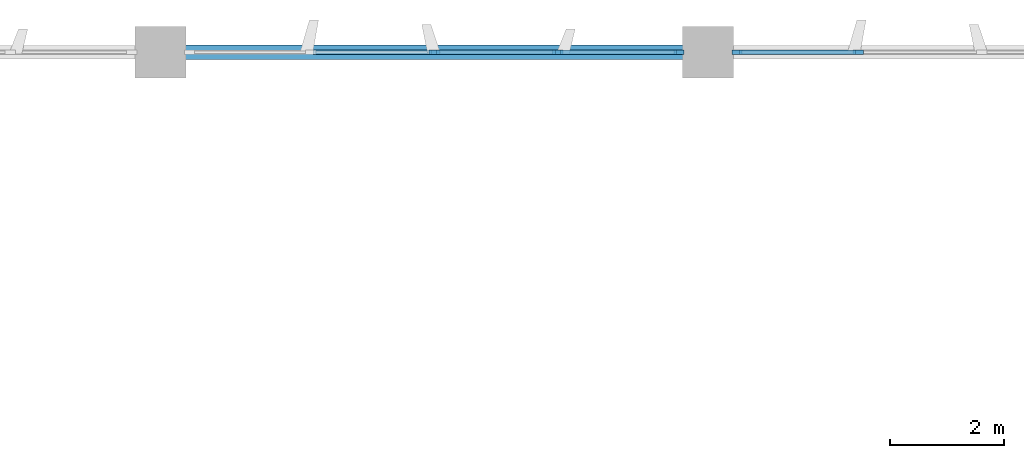
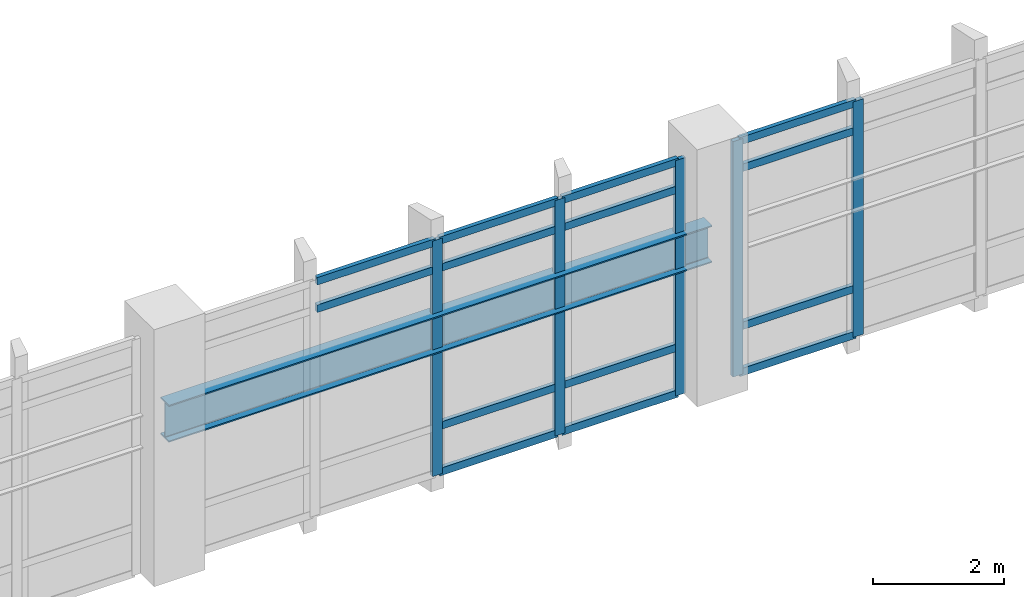
# One storey, part 32 of 86: 19 members, 1 beam, 2 elements without a shape of their own.
"""IFC4 building model written with IfcOpenShell, lengths in metres."""

from ifc_helpers import new_model, si_unit, direction, frame, origin, origin_2d, place, context, subcontext, project, spatial, rectangle, i_section, extrude, material, layer, layer_set, material_profile, profile_set, type_object, element, aggregate, save


model = new_model("IFC4")

# Units and contexts
model_context = context("Model", 3, precision=1e-05, world=origin(), true_north=direction((0.0, 1.0)))
body_context = subcontext(model_context, "Body", "Model", "MODEL_VIEW")
ifc_project = project(units=[si_unit("LENGTHUNIT", "METRE"), si_unit("AREAUNIT", "SQUARE_METRE"), si_unit("VOLUMEUNIT", "CUBIC_METRE"), si_unit("PLANEANGLEUNIT", "RADIAN"), si_unit("MASSUNIT", "GRAM", prefix="KILO")], contexts=[model_context])

# Site, building, storey
site_placement = place(None, origin())
site = spatial("IfcSite", under=ifc_project, at=site_placement, CompositionType="ELEMENT")
building_placement = place(site_placement, origin())
building = spatial("IfcBuilding", under=site, at=building_placement, Name="Kolvemor Railside Polytechnic", CompositionType="ELEMENT")
storey_placement = place(building_placement, frame((0.0, 0.0, 5.39990234375)))
storey = spatial("IfcBuildingStorey", under=building, at=storey_placement, Name="L01", CompositionType="ELEMENT", Elevation=5.39990234375)

# Beam
ifc_material_1 = material(Name="Steel S355", Category="steel")
ifc_material_profile_1 = material_profile(ifc_material_1, i_section(OverallWidth=0.256103515625, OverallDepth=0.693115234375, WebThickness=0.014404296875, FlangeThickness=0.023681640625, FilletRadius=0.01611328125, at=origin_2d()), Name="W690x170")
ifc_profile_set_1 = profile_set([ifc_material_profile_1], Name="Steel S355")
beam_type = type_object("IfcBeamType", Name="BM-ST-CRANE0", PredefinedType="BEAM", material=ifc_profile_set_1)
beam_placement = place(storey_placement, frame((115.199951171875, 120.0, 2.691650390625), z_axis=(1.0, 0.0, 0.0), x_axis=(0.0, 1.0, 0.0)))
element("IfcBeam", 1, at=beam_placement, inside=storey, type_object=beam_type, Name="Crane Runway Girder CRG-N11", PredefinedType="BEAM", context=body_context, shape_type="SweptSolid", body=[
    extrude(i_section(OverallWidth=0.256103515625, OverallDepth=0.693115234375, WebThickness=0.014404296875, FlangeThickness=0.023681640625, FilletRadius=0.01611328125, at=origin_2d()), origin(), (0.0, 0.0, 1.0), 9.60009765625),
])

# Curtain wall, members
ifc_material_2 = material(Name="Anodised marine aluminium and laminated low-E glass", Category="aluminium")
ifc_layer = layer(ifc_material_2, 0.179931640625, Name="CW-UNIT-WKS")
ifc_layer_set = layer_set([ifc_layer], Name="Anodised marine aluminium and laminated low-E glass")
curtain_wall_type = type_object("IfcCurtainWallType", Name="CW-UNIT-WKS", PredefinedType="USERDEFINED", material=ifc_layer_set)
curtain_wall_1_placement = place(storey_placement, origin())
curtain_wall_1 = element("IfcCurtainWall", 2, at=curtain_wall_1_placement, inside=storey, type_object=curtain_wall_type, Name="Curtain Wall L01-023", ObjectType="UNITISED CURTAIN WALL", PredefinedType="USERDEFINED")
ifc_material_3 = material(Name="Anodised marine aluminium 6063-T6", Category="aluminium")
ifc_material_profile_2 = material_profile(ifc_material_3, rectangle(XDim=0.074951171875, YDim=0.179931640625, at=origin_2d()), Name="CW-MUL-75x180")
ifc_profile_set_2 = profile_set([ifc_material_profile_2], Name="Anodised marine aluminium 6063-T6")
member_type_1 = type_object("IfcMemberType", Name="CWM-75x180", PredefinedType="MULLION", material=ifc_profile_set_2)
member_1_placement = place(storey_placement, frame((124.29248046875, 120.0, 0.0), z_axis=(0.0, 0.0, 1.0), x_axis=(0.0, -1.0, 0.0)))
member_1 = element("IfcMember", 3, at=member_1_placement, type_object=member_type_1, Name="CW-WKS mullion 1", PredefinedType="MULLION", context=body_context, shape_type="SweptSolid", body=[
    extrude(rectangle(XDim=0.074951171875, YDim=0.179931640625, at=origin_2d()), origin(), (0.0, 0.0, 1.0), 4.400146484375),
])
member_2_placement = place(storey_placement, frame((122.1650390625, 120.0, 0.0), z_axis=(0.0, 0.0, 1.0), x_axis=(0.0, -1.0, 0.0)))
member_2 = element("IfcMember", 4, at=member_2_placement, type_object=member_type_1, Name="CW-WKS mullion 2", PredefinedType="MULLION", context=body_context, shape_type="SweptSolid", body=[
    extrude(rectangle(XDim=0.074951171875, YDim=0.179931640625, at=origin_2d()), origin(), (0.0, 0.0, 1.0), 4.400146484375),
])
member_3_placement = place(storey_placement, frame((120.0, 120.0, 0.0), z_axis=(0.0, 0.0, 1.0), x_axis=(0.0, -1.0, 0.0)))
member_3 = element("IfcMember", 5, at=member_3_placement, type_object=member_type_1, Name="CW-WKS mullion 3", PredefinedType="MULLION", context=body_context, shape_type="SweptSolid", body=[
    extrude(rectangle(XDim=0.074951171875, YDim=0.179931640625, at=origin_2d()), origin(), (0.0, 0.0, 1.0), 4.400146484375),
])

curtain_wall_2_placement = place(storey_placement, origin())
curtain_wall_2 = element("IfcCurtainWall", 6, at=curtain_wall_2_placement, inside=storey, type_object=curtain_wall_type, Name="Curtain Wall L01-025", ObjectType="UNITISED CURTAIN WALL", PredefinedType="USERDEFINED")
member_4_placement = place(storey_placement, frame((127.43505859375, 120.0, 0.0), z_axis=(0.0, 0.0, 1.0), x_axis=(0.0, -1.0, 0.0)))
member_4 = element("IfcMember", 7, at=member_4_placement, type_object=member_type_1, Name="CW-WKS mullion 4", PredefinedType="MULLION", context=body_context, shape_type="SweptSolid", body=[
    extrude(rectangle(XDim=0.074951171875, YDim=0.179931640625, at=origin_2d()), origin(), (0.0, 0.0, 1.0), 4.400146484375),
])
member_5_placement = place(storey_placement, frame((125.3076171875, 120.0, 0.0), z_axis=(0.0, 0.0, 1.0), x_axis=(0.0, -1.0, 0.0)))
member_5 = element("IfcMember", 8, at=member_5_placement, type_object=member_type_1, Name="CW-WKS mullion 5", PredefinedType="MULLION", context=body_context, shape_type="SweptSolid", body=[
    extrude(rectangle(XDim=0.074951171875, YDim=0.179931640625, at=origin_2d()), origin(), (0.0, 0.0, 1.0), 4.400146484375),
])

# Member
ifc_material_4 = material(Name="Anodised marine aluminium 6063-T6", Category="aluminium")
ifc_material_profile_3 = material_profile(ifc_material_4, rectangle(XDim=0.074951171875, YDim=0.139892578125, at=origin_2d()), Name="CW-TRN-75x140")
ifc_profile_set_3 = profile_set([ifc_material_profile_3], Name="Anodised marine aluminium 6063-T6")
member_type_2 = type_object("IfcMemberType", Name="CWT-75x140", PredefinedType="USERDEFINED", material=ifc_profile_set_3)
member_6_placement = place(storey_placement, frame((124.2548828125, 120.0, 0.03759765625), z_axis=(-1.0, 0.0, 0.0), x_axis=(0.0, -1.0, 0.0)))
member_6 = element("IfcMember", 9, at=member_6_placement, type_object=member_type_2, Name="CW-WKS transom 1.1", ObjectType="TRANSOM", PredefinedType="USERDEFINED", context=body_context, shape_type="SweptSolid", body=[
    extrude(rectangle(XDim=0.074951171875, YDim=0.139892578125, at=origin_2d()), origin(), (0.0, 0.0, 1.0), 2.052490234375),
])

member_7_placement = place(storey_placement, frame((124.2548828125, 120.0, 0.900146484375), z_axis=(-1.0, 0.0, 0.0), x_axis=(0.0, -1.0, 0.0)))
member_7 = element("IfcMember", 10, at=member_7_placement, type_object=member_type_2, Name="CW-WKS transom 1.2", ObjectType="TRANSOM", PredefinedType="USERDEFINED", context=body_context, shape_type="SweptSolid", body=[
    extrude(rectangle(XDim=0.074951171875, YDim=0.139892578125, at=origin_2d()), origin(), (0.0, 0.0, 1.0), 2.052490234375),
])

member_8_placement = place(storey_placement, frame((124.2548828125, 120.0, 3.85009765625), z_axis=(-1.0, 0.0, 0.0), x_axis=(0.0, -1.0, 0.0)))
member_8 = element("IfcMember", 11, at=member_8_placement, type_object=member_type_2, Name="CW-WKS transom 1.3", ObjectType="TRANSOM", PredefinedType="USERDEFINED", context=body_context, shape_type="SweptSolid", body=[
    extrude(rectangle(XDim=0.074951171875, YDim=0.139892578125, at=origin_2d()), origin(), (0.0, 0.0, 1.0), 2.052490234375),
])

member_9_placement = place(storey_placement, frame((124.2548828125, 120.0, 4.362548828125), z_axis=(-1.0, 0.0, 0.0), x_axis=(0.0, -1.0, 0.0)))
member_9 = element("IfcMember", 12, at=member_9_placement, type_object=member_type_2, Name="CW-WKS transom 1.4", ObjectType="TRANSOM", PredefinedType="USERDEFINED", context=body_context, shape_type="SweptSolid", body=[
    extrude(rectangle(XDim=0.074951171875, YDim=0.139892578125, at=origin_2d()), origin(), (0.0, 0.0, 1.0), 2.052490234375),
])

member_10_placement = place(storey_placement, frame((122.12744140625, 120.0, 0.03759765625), z_axis=(-1.0, 0.0, 0.0), x_axis=(0.0, -1.0, 0.0)))
member_10 = element("IfcMember", 13, at=member_10_placement, type_object=member_type_2, Name="CW-WKS transom 2.1", ObjectType="TRANSOM", PredefinedType="USERDEFINED", context=body_context, shape_type="SweptSolid", body=[
    extrude(rectangle(XDim=0.074951171875, YDim=0.139892578125, at=origin_2d()), origin(), (0.0, 0.0, 1.0), 2.08984375),
])

member_11_placement = place(storey_placement, frame((122.12744140625, 120.0, 0.900146484375), z_axis=(-1.0, 0.0, 0.0), x_axis=(0.0, -1.0, 0.0)))
member_11 = element("IfcMember", 14, at=member_11_placement, type_object=member_type_2, Name="CW-WKS transom 2.2", ObjectType="TRANSOM", PredefinedType="USERDEFINED", context=body_context, shape_type="SweptSolid", body=[
    extrude(rectangle(XDim=0.074951171875, YDim=0.139892578125, at=origin_2d()), origin(), (0.0, 0.0, 1.0), 2.08984375),
])

member_12_placement = place(storey_placement, frame((122.12744140625, 120.0, 3.85009765625), z_axis=(-1.0, 0.0, 0.0), x_axis=(0.0, -1.0, 0.0)))
member_12 = element("IfcMember", 15, at=member_12_placement, type_object=member_type_2, Name="CW-WKS transom 2.3", ObjectType="TRANSOM", PredefinedType="USERDEFINED", context=body_context, shape_type="SweptSolid", body=[
    extrude(rectangle(XDim=0.074951171875, YDim=0.139892578125, at=origin_2d()), origin(), (0.0, 0.0, 1.0), 2.08984375),
])

member_13_placement = place(storey_placement, frame((122.12744140625, 120.0, 4.362548828125), z_axis=(-1.0, 0.0, 0.0), x_axis=(0.0, -1.0, 0.0)))
member_13 = element("IfcMember", 16, at=member_13_placement, type_object=member_type_2, Name="CW-WKS transom 2.4", ObjectType="TRANSOM", PredefinedType="USERDEFINED", context=body_context, shape_type="SweptSolid", body=[
    extrude(rectangle(XDim=0.074951171875, YDim=0.139892578125, at=origin_2d()), origin(), (0.0, 0.0, 1.0), 2.08984375),
])

member_14_placement = place(storey_placement, frame((119.96240234375, 120.0, 3.85009765625), z_axis=(-1.0, 0.0, 0.0), x_axis=(0.0, -1.0, 0.0)))
member_14 = element("IfcMember", 17, at=member_14_placement, type_object=member_type_2, Name="CW-WKS transom 3.3", ObjectType="TRANSOM", PredefinedType="USERDEFINED", context=body_context, shape_type="SweptSolid", body=[
    extrude(rectangle(XDim=0.074951171875, YDim=0.139892578125, at=origin_2d()), origin(), (0.0, 0.0, 1.0), 2.08984375),
])

member_15_placement = place(storey_placement, frame((119.96240234375, 120.0, 4.362548828125), z_axis=(-1.0, 0.0, 0.0), x_axis=(0.0, -1.0, 0.0)))
member_15 = element("IfcMember", 18, at=member_15_placement, type_object=member_type_2, Name="CW-WKS transom 3.4", ObjectType="TRANSOM", PredefinedType="USERDEFINED", context=body_context, shape_type="SweptSolid", body=[
    extrude(rectangle(XDim=0.074951171875, YDim=0.139892578125, at=origin_2d()), origin(), (0.0, 0.0, 1.0), 2.08984375),
])

aggregate(curtain_wall_1, [member_1, member_2, member_3, member_6, member_7, member_8, member_9, member_10, member_11, member_12, member_13, member_14, member_15])

member_16_placement = place(storey_placement, frame((127.3974609375, 120.0, 0.03759765625), z_axis=(-1.0, 0.0, 0.0), x_axis=(0.0, -1.0, 0.0)))
member_16 = element("IfcMember", 19, at=member_16_placement, type_object=member_type_2, Name="CW-WKS transom 4.1", ObjectType="TRANSOM", PredefinedType="USERDEFINED", context=body_context, shape_type="SweptSolid", body=[
    extrude(rectangle(XDim=0.074951171875, YDim=0.139892578125, at=origin_2d()), origin(), (0.0, 0.0, 1.0), 2.052490234375),
])

member_17_placement = place(storey_placement, frame((127.3974609375, 120.0, 0.900146484375), z_axis=(-1.0, 0.0, 0.0), x_axis=(0.0, -1.0, 0.0)))
member_17 = element("IfcMember", 20, at=member_17_placement, type_object=member_type_2, Name="CW-WKS transom 4.2", ObjectType="TRANSOM", PredefinedType="USERDEFINED", context=body_context, shape_type="SweptSolid", body=[
    extrude(rectangle(XDim=0.074951171875, YDim=0.139892578125, at=origin_2d()), origin(), (0.0, 0.0, 1.0), 2.052490234375),
])

member_18_placement = place(storey_placement, frame((127.3974609375, 120.0, 3.85009765625), z_axis=(-1.0, 0.0, 0.0), x_axis=(0.0, -1.0, 0.0)))
member_18 = element("IfcMember", 21, at=member_18_placement, type_object=member_type_2, Name="CW-WKS transom 4.3", ObjectType="TRANSOM", PredefinedType="USERDEFINED", context=body_context, shape_type="SweptSolid", body=[
    extrude(rectangle(XDim=0.074951171875, YDim=0.139892578125, at=origin_2d()), origin(), (0.0, 0.0, 1.0), 2.052490234375),
])

member_19_placement = place(storey_placement, frame((127.3974609375, 120.0, 4.362548828125), z_axis=(-1.0, 0.0, 0.0), x_axis=(0.0, -1.0, 0.0)))
member_19 = element("IfcMember", 22, at=member_19_placement, type_object=member_type_2, Name="CW-WKS transom 4.4", ObjectType="TRANSOM", PredefinedType="USERDEFINED", context=body_context, shape_type="SweptSolid", body=[
    extrude(rectangle(XDim=0.074951171875, YDim=0.139892578125, at=origin_2d()), origin(), (0.0, 0.0, 1.0), 2.052490234375),
])

aggregate(curtain_wall_2, [member_4, member_5, member_16, member_17, member_18, member_19])

save(model, "model.ifc")
